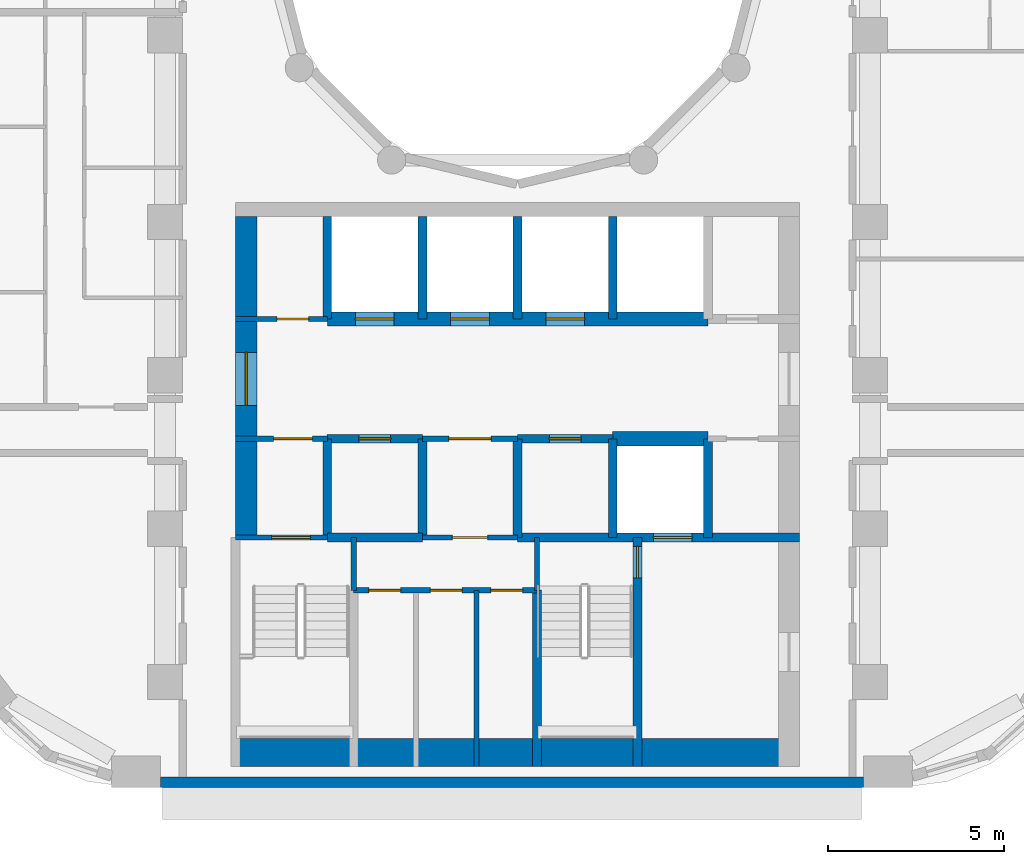
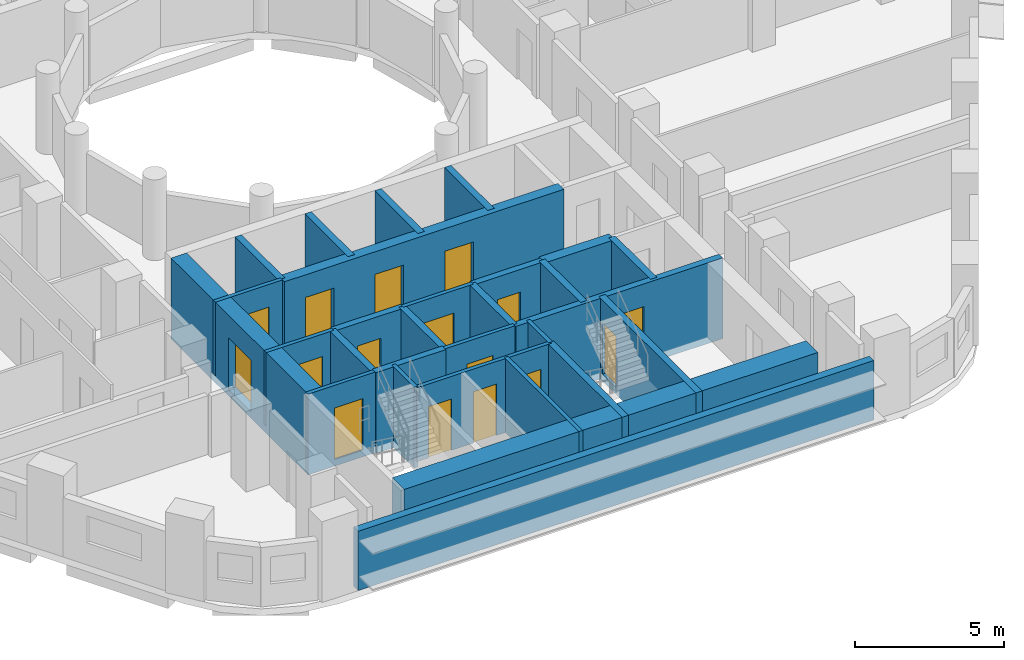
# One storey, part 3 of 12: 29 walls, 16 doors, 16 openings.
"""IFC4 building model written with IfcOpenShell, lengths in metres."""

from ifc_helpers import new_model, si_unit, direction, frame, frame_2d, origin, place, context, subcontext, project, spatial, rectangle, extrude, material, layer, layer_set, type_object, element, fill, save


model = new_model("IFC4")

# Units and contexts
model_context = context("Model", 3, precision=1e-05, world=origin(), true_north=direction((0.0, 1.0)))
body_context = subcontext(model_context, "Body", "Model", "MODEL_VIEW")
ifc_project = project(units=[si_unit("LENGTHUNIT", "METRE"), si_unit("AREAUNIT", "SQUARE_METRE"), si_unit("VOLUMEUNIT", "CUBIC_METRE"), si_unit("PLANEANGLEUNIT", "RADIAN"), si_unit("MASSUNIT", "GRAM", prefix="KILO")], contexts=[model_context])

# Site, building, storey
site_placement = place(None, origin())
site = spatial("IfcSite", under=ifc_project, at=site_placement, CompositionType="ELEMENT")
building_placement = place(site_placement, origin())
building = spatial("IfcBuilding", under=site, at=building_placement, Name="Nakaniwa Court", CompositionType="ELEMENT")
storey_placement = place(building_placement, frame((0.0, 0.0, 100.800048828125)))
storey = spatial("IfcBuildingStorey", under=building, at=storey_placement, Name="L26", CompositionType="ELEMENT", Elevation=100.800048828125)

# Wall
ifc_material_1 = material(Name="Charcoal ceramic cladding")
ifc_layer_1 = layer(ifc_material_1, 0.02, Name="Ceramic cladding")
ifc_material_2 = material(Name="Ventilated air cavity")
ifc_layer_2 = layer(ifc_material_2, 0.04, ventilated=True, Name="Ventilated cavity")
ifc_material_3 = material(Name="Mineral wool insulation")
ifc_layer_3 = layer(ifc_material_3, 0.1, Name="Insulation")
ifc_material_4 = material(Name="Cement bonded sheathing board")
ifc_layer_4 = layer(ifc_material_4, 0.012, Name="Sheathing")
ifc_material_5 = material(Name="Cold-formed galvanised stud frame with mineral wool infill")
ifc_layer_5 = layer(ifc_material_5, 0.1, Name="Stud frame")
ifc_material_6 = material(Name="Fire-rated gypsum plasterboard lining")
ifc_layer_6 = layer(ifc_material_6, 0.028, Name="Lining")
ifc_layer_set_1 = layer_set([ifc_layer_1, ifc_layer_2, ifc_layer_3, ifc_layer_4, ifc_layer_5, ifc_layer_6], Name="Charcoal ceramic faced external wall system")
wall_type_1 = type_object("IfcWallType", Name="Black ceramic faced external wall 300", PredefinedType="SOLIDWALL", material=ifc_layer_set_1)
wall_1_placement = place(storey_placement, frame((69.871337890625, 56.14990234375, 0.0), z_axis=(0.0, 0.0, 1.0), x_axis=(1.0, 0.0, 0.0)))
element("IfcWall", 1, at=wall_1_placement, inside=storey, type_object=wall_type_1, Name="L26 external wall 26", PredefinedType="SOLIDWALL", context=body_context, shape_type="SweptSolid", body=[
    extrude(rectangle(XDim=19.939697265625, YDim=0.300048828125, at=frame_2d((9.9697265625, 0.0))), origin(), (0.0, 0.0, 1.0), 2.425048828125),
])

# Wall, opening, door
ifc_material_7 = material(Name="Blockwork partition", Category="masonry")
ifc_layer_7 = layer(ifc_material_7, 0.14990234375)
ifc_layer_set_2 = layer_set([ifc_layer_7], Name="Blockwork partition")
wall_type_2 = type_object("IfcWallType", Name="Blockwork partition 150", PredefinedType="PARTITIONING", material=ifc_layer_set_2)
wall_2_placement = place(storey_placement, frame((72.0, 69.300048828125, 0.0), z_axis=(0.0, 0.0, 1.0), x_axis=(1.0, 0.0, 0.0)))
wall_2 = element("IfcWall", 2, at=wall_2_placement, inside=storey, type_object=wall_type_2, Name="Partition PW-037", PredefinedType="PARTITIONING", context=body_context, shape_type="SweptSolid", body=[
    extrude(rectangle(XDim=2.60009765625, YDim=0.14990234375, at=frame_2d((1.300048828125, 0.0))), origin(), (0.0, 0.0, 1.0), 3.02490234375),
])
opening_1_placement = place(wall_2_placement, frame((1.175048828125, 0.0, 0.0)))
opening_1 = element("IfcOpeningElement", 3, at=opening_1_placement, cuts=wall_2, Name="Opening D-05-09", PredefinedType="OPENING", context=body_context, shape_type="SweptSolid", body=[
    extrude(rectangle(XDim=0.89990234375, YDim=2.10009765625, at=frame_2d((0.449951171875, 1.050048828125))), frame((0.0, 0.0849609375, 0.0), z_axis=(0.0, -1.0, 0.0), x_axis=(1.0, 0.0, 0.0)), (0.0, 0.0, 1.0), 0.169921875),
])
ifc_material_8 = material(Name="Fire rated steel door set", Category="steel")
door_type_1 = type_object("IfcDoorType", Name="Service room door 900", OperationType="NOTDEFINED", PredefinedType="DOOR", material=ifc_material_8)
door_1_placement = place(opening_1_placement, origin())
door_1 = element("IfcDoor", 4, at=door_1_placement, inside=storey, type_object=door_type_1, Name="Door D-05-09 L26-014", OperationType="SINGLE_SWING_LEFT", OverallHeight=2.10009765625, OverallWidth=0.89990234375, PredefinedType="DOOR", context=body_context, shape_type="SweptSolid", body=[
    extrude(rectangle(XDim=0.89990234375, YDim=2.10009765625, at=frame_2d((0.449951171875, 1.050048828125))), frame((0.0, 0.02490234375, 0.0), z_axis=(0.0, -1.0, 0.0), x_axis=(1.0, 0.0, 0.0)), (0.0, 0.0, 1.0), 0.050048828125),
])
fill(opening_1, door_1)

wall_3_placement = place(storey_placement, frame((74.60302734375, 65.89990234375, 0.0), z_axis=(0.0, 0.0, 1.0), x_axis=(-1.0, 0.0, 0.0)))
wall_3 = element("IfcWall", 5, at=wall_3_placement, inside=storey, type_object=wall_type_2, Name="Partition PW-050", PredefinedType="PARTITIONING", context=body_context, shape_type="SweptSolid", body=[
    extrude(rectangle(XDim=2.60302734375, YDim=0.14990234375, at=frame_2d((1.301513671875, 0.0))), origin(), (0.0, 0.0, 1.0), 3.02490234375),
])
opening_2_placement = place(wall_3_placement, frame((0.427978515625, 0.0, 0.0)))
opening_2 = element("IfcOpeningElement", 6, at=opening_2_placement, cuts=wall_3, Name="Opening D-08-02", PredefinedType="OPENING", context=body_context, shape_type="SweptSolid", body=[
    extrude(rectangle(XDim=1.10009765625, YDim=2.10009765625, at=frame_2d((0.550048828125, 1.050048828125))), frame((0.0, 0.0849609375, 0.0), z_axis=(0.0, -1.0, 0.0), x_axis=(1.0, 0.0, 0.0)), (0.0, 0.0, 1.0), 0.169921875),
])
door_type_2 = type_object("IfcDoorType", Name="Stair lobby door 1100", OperationType="NOTDEFINED", PredefinedType="DOOR", material=ifc_material_8)
door_2_placement = place(opening_2_placement, origin())
door_2 = element("IfcDoor", 7, at=door_2_placement, inside=storey, type_object=door_type_2, Name="Door D-08-02 L26-016", OperationType="SINGLE_SWING_LEFT", OverallHeight=2.10009765625, OverallWidth=1.10009765625, PredefinedType="DOOR", context=body_context, shape_type="SweptSolid", body=[
    extrude(rectangle(XDim=1.10009765625, YDim=2.10009765625, at=frame_2d((0.550048828125, 1.050048828125))), frame((0.0, 0.02490234375, 0.0), z_axis=(0.0, -1.0, 0.0), x_axis=(1.0, 0.0, 0.0)), (0.0, 0.0, 1.0), 0.050048828125),
])
fill(opening_2, door_2)

wall_4_placement = place(storey_placement, frame((80.0029296875, 65.89990234375, 0.0), z_axis=(0.0, 0.0, 1.0), x_axis=(-1.0, 0.0, 0.0)))
wall_4 = element("IfcWall", 8, at=wall_4_placement, inside=storey, type_object=wall_type_2, Name="Partition PW-051", PredefinedType="PARTITIONING", context=body_context, shape_type="SweptSolid", body=[
    extrude(rectangle(XDim=2.705810546875, YDim=0.14990234375, at=frame_2d((1.35302734375, 0.0))), origin(), (0.0, 0.0, 1.0), 3.02490234375),
])
opening_3_placement = place(wall_4_placement, frame((0.7529296875, 0.0, 0.0)))
opening_3 = element("IfcOpeningElement", 9, at=opening_3_placement, cuts=wall_4, Name="Opening D-06-02", PredefinedType="OPENING", context=body_context, shape_type="SweptSolid", body=[
    extrude(rectangle(XDim=1.199951171875, YDim=2.10009765625, at=frame_2d((0.60009765625, 1.050048828125))), frame((0.0, 0.0849609375, 0.0), z_axis=(0.0, -1.0, 0.0), x_axis=(1.0, 0.0, 0.0)), (0.0, 0.0, 1.0), 0.169921875),
])
ifc_material_9 = material(Name="Fire rated steel double door set", Category="steel")
door_type_3 = type_object("IfcDoorType", Name="Service passage double door 1200", OperationType="NOTDEFINED", PredefinedType="DOOR", material=ifc_material_9)
door_3_placement = place(opening_3_placement, origin())
door_3 = element("IfcDoor", 10, at=door_3_placement, inside=storey, type_object=door_type_3, Name="Door D-06-02 L26-018", OperationType="DOUBLE_DOOR_SINGLE_SWING", OverallHeight=2.10009765625, OverallWidth=1.199951171875, PredefinedType="DOOR", context=body_context, shape_type="SweptSolid", body=[
    extrude(rectangle(XDim=1.199951171875, YDim=2.10009765625, at=frame_2d((0.60009765625, 1.050048828125))), frame((0.0, 0.02490234375, 0.0), z_axis=(0.0, -1.0, 0.0), x_axis=(1.0, 0.0, 0.0)), (0.0, 0.0, 1.0), 0.050048828125),
])
fill(opening_3, door_3)

wall_5_placement = place(storey_placement, frame((80.0, 63.10009765625, 0.0), z_axis=(0.0, 0.0, 1.0), x_axis=(-1.0, 0.0, 0.0)))
wall_5 = element("IfcWall", 11, at=wall_5_placement, inside=storey, type_object=wall_type_2, Name="Partition PW-059", PredefinedType="PARTITIONING", context=body_context, shape_type="SweptSolid", body=[
    extrude(rectangle(XDim=2.699951171875, YDim=0.14990234375, at=frame_2d((1.35009765625, 0.0))), origin(), (0.0, 0.0, 1.0), 3.02490234375),
])
opening_4_placement = place(wall_5_placement, frame((0.85009765625, 0.0, 0.0)))
opening_4 = element("IfcOpeningElement", 12, at=opening_4_placement, cuts=wall_5, Name="Opening D-23-02", PredefinedType="OPENING", context=body_context, shape_type="SweptSolid", body=[
    extrude(rectangle(XDim=1.0, YDim=2.10009765625, at=frame_2d((0.5, 1.050048828125))), frame((0.0, 0.0849609375, 0.0), z_axis=(0.0, -1.0, 0.0), x_axis=(1.0, 0.0, 0.0)), (0.0, 0.0, 1.0), 0.169921875),
])
door_type_4 = type_object("IfcDoorType", Name="Service room door 1000", OperationType="NOTDEFINED", PredefinedType="DOOR", material=ifc_material_8)
door_4_placement = place(opening_4_placement, origin())
door_4 = element("IfcDoor", 13, at=door_4_placement, inside=storey, type_object=door_type_4, Name="Door D-23-02 L26-021", OperationType="SINGLE_SWING_RIGHT", OverallHeight=2.10009765625, OverallWidth=1.0, PredefinedType="DOOR", context=body_context, shape_type="SweptSolid", body=[
    extrude(rectangle(XDim=1.0, YDim=2.10009765625, at=frame_2d((0.5, 1.050048828125))), frame((0.0, 0.02490234375, 0.0), z_axis=(0.0, -1.0, 0.0), x_axis=(1.0, 0.0, 0.0)), (0.0, 0.0, 1.0), 0.050048828125),
])
fill(opening_4, door_4)

# Wall, openings, doors
wall_6_placement = place(storey_placement, frame((80.550048828125, 61.60009765625, 0.0), z_axis=(0.0, 0.0, 1.0), x_axis=(-1.0, 0.0, 0.0)))
wall_6 = element("IfcWall", 14, at=wall_6_placement, inside=storey, type_object=wall_type_2, Name="Partition PW-066", PredefinedType="PARTITIONING", context=body_context, shape_type="SweptSolid", body=[
    extrude(rectangle(XDim=5.199951171875, YDim=0.14990234375, at=frame_2d((2.60009765625, 0.0))), origin(), (0.0, 0.0, 1.0), 3.02490234375),
])
opening_5_placement = place(wall_6_placement, frame((3.865966796875, 0.0, 0.0)))
opening_5 = element("IfcOpeningElement", 15, at=opening_5_placement, cuts=wall_6, Name="Opening D-05-14", PredefinedType="OPENING", context=body_context, shape_type="SweptSolid", body=[
    extrude(rectangle(XDim=0.89990234375, YDim=2.10009765625, at=frame_2d((0.449951171875, 1.050048828125))), frame((0.0, 0.0849609375, 0.0), z_axis=(0.0, -1.0, 0.0), x_axis=(1.0, 0.0, 0.0)), (0.0, 0.0, 1.0), 0.169921875),
])
opening_6_placement = place(wall_6_placement, frame((2.1240234375, 0.0, 0.0)))
opening_6 = element("IfcOpeningElement", 16, at=opening_6_placement, cuts=wall_6, Name="Opening D-05-15", PredefinedType="OPENING", context=body_context, shape_type="SweptSolid", body=[
    extrude(rectangle(XDim=0.89990234375, YDim=2.10009765625, at=frame_2d((0.449951171875, 1.050048828125))), frame((0.0, 0.0849609375, 0.0), z_axis=(0.0, -1.0, 0.0), x_axis=(1.0, 0.0, 0.0)), (0.0, 0.0, 1.0), 0.169921875),
])
opening_7_placement = place(wall_6_placement, frame((0.407958984375, 0.0, 0.0)))
opening_7 = element("IfcOpeningElement", 17, at=opening_7_placement, cuts=wall_6, Name="Opening D-05-16", PredefinedType="OPENING", context=body_context, shape_type="SweptSolid", body=[
    extrude(rectangle(XDim=0.89990234375, YDim=2.10009765625, at=frame_2d((0.449951171875, 1.050048828125))), frame((0.0, 0.0849609375, 0.0), z_axis=(0.0, -1.0, 0.0), x_axis=(1.0, 0.0, 0.0)), (0.0, 0.0, 1.0), 0.169921875),
])
door_5_placement = place(opening_5_placement, origin())
door_5 = element("IfcDoor", 18, at=door_5_placement, inside=storey, type_object=door_type_1, Name="Door D-05-14 L26-022", OperationType="SINGLE_SWING_LEFT", OverallHeight=2.10009765625, OverallWidth=0.89990234375, PredefinedType="DOOR", context=body_context, shape_type="SweptSolid", body=[
    extrude(rectangle(XDim=0.89990234375, YDim=2.10009765625, at=frame_2d((0.449951171875, 1.050048828125))), frame((0.0, 0.02490234375, 0.0), z_axis=(0.0, -1.0, 0.0), x_axis=(1.0, 0.0, 0.0)), (0.0, 0.0, 1.0), 0.050048828125),
])
fill(opening_5, door_5)
door_6_placement = place(opening_6_placement, origin())
door_6 = element("IfcDoor", 19, at=door_6_placement, inside=storey, type_object=door_type_1, Name="Door D-05-15 L26-023", OperationType="SINGLE_SWING_RIGHT", OverallHeight=2.10009765625, OverallWidth=0.89990234375, PredefinedType="DOOR", context=body_context, shape_type="SweptSolid", body=[
    extrude(rectangle(XDim=0.89990234375, YDim=2.10009765625, at=frame_2d((0.449951171875, 1.050048828125))), frame((0.0, 0.02490234375, 0.0), z_axis=(0.0, -1.0, 0.0), x_axis=(1.0, 0.0, 0.0)), (0.0, 0.0, 1.0), 0.050048828125),
])
fill(opening_6, door_6)
door_7_placement = place(opening_7_placement, origin())
door_7 = element("IfcDoor", 20, at=door_7_placement, inside=storey, type_object=door_type_1, Name="Door D-05-16 L26-024", OperationType="SINGLE_SWING_LEFT", OverallHeight=2.10009765625, OverallWidth=0.89990234375, PredefinedType="DOOR", context=body_context, shape_type="SweptSolid", body=[
    extrude(rectangle(XDim=0.89990234375, YDim=2.10009765625, at=frame_2d((0.449951171875, 1.050048828125))), frame((0.0, 0.02490234375, 0.0), z_axis=(0.0, -1.0, 0.0), x_axis=(1.0, 0.0, 0.0)), (0.0, 0.0, 1.0), 0.050048828125),
])
fill(opening_7, door_7)

# Wall
wall_7_placement = place(storey_placement, frame((78.833984375, 56.60009765625, 0.0), z_axis=(0.0, 0.0, 1.0), x_axis=(0.0, 1.0, 0.0)))
element("IfcWall", 21, at=wall_7_placement, inside=storey, type_object=wall_type_2, Name="Partition PW-068", PredefinedType="PARTITIONING", context=body_context, shape_type="SweptSolid", body=[
    extrude(rectangle(XDim=5.0, YDim=0.14990234375, at=frame_2d((2.5, 0.0))), origin(), (0.0, 0.0, 1.0), 3.02490234375),
])

# Wall, opening, door
ifc_material_10 = material(Name="Concrete C80/100", Category="concrete")
ifc_layer_8 = layer(ifc_material_10, 0.60009765625)
ifc_layer_set_3 = layer_set([ifc_layer_8], Name="Concrete C80/100")
wall_type_3 = type_object("IfcWallType", Name="Concrete core side wall 600 C80", PredefinedType="SHEAR", material=ifc_layer_set_3)
wall_8_placement = place(storey_placement, frame((72.300048828125, 63.10009765625, -0.275146484375), z_axis=(0.0, 0.0, 1.0), x_axis=(0.0, 1.0, 0.0)))
wall_8 = element("IfcWall", 22, at=wall_8_placement, inside=storey, type_object=wall_type_3, Name="Core wall SW-38", PredefinedType="SHEAR", context=body_context, shape_type="SweptSolid", body=[
    extrude(rectangle(XDim=9.099853515625, YDim=0.60009765625, at=frame_2d((4.5498046875, 0.0))), origin(), (0.0, 0.0, 1.0), 3.300048828125),
])
opening_8_placement = place(wall_8_placement, frame((3.75, 0.0, 0.27490234375)))
opening_8 = element("IfcOpeningElement", 23, at=opening_8_placement, cuts=wall_8, Name="Opening D-07-04", PredefinedType="OPENING", context=body_context, shape_type="SweptSolid", body=[
    extrude(rectangle(XDim=1.5, YDim=2.10009765625, at=frame_2d((0.75, 1.050048828125))), frame((0.0, 0.31005859375, 0.0), z_axis=(0.0, -1.0, 0.0), x_axis=(1.0, 0.0, 0.0)), (0.0, 0.0, 1.0), 0.6201171875),
])
ifc_material_11 = material(Name="Glazed fire rated steel double door set", Category="steel")
door_type_5 = type_object("IfcDoorType", Name="Lobby double door 1500", OperationType="NOTDEFINED", PredefinedType="DOOR", material=ifc_material_11)
door_8_placement = place(opening_8_placement, origin())
door_8 = element("IfcDoor", 24, at=door_8_placement, inside=storey, type_object=door_type_5, Name="Door D-07-04 L26-055", OperationType="DOUBLE_DOOR_SINGLE_SWING", OverallHeight=2.10009765625, OverallWidth=1.5, PredefinedType="DOOR", context=body_context, shape_type="SweptSolid", body=[
    extrude(rectangle(XDim=1.5, YDim=2.10009765625, at=frame_2d((0.75, 1.050048828125))), frame((0.0, 0.02490234375, 0.0), z_axis=(0.0, -1.0, 0.0), x_axis=(1.0, 0.0, 0.0)), (0.0, 0.0, 1.0), 0.050048828125),
])
fill(opening_8, door_8)

# Wall, openings, doors
ifc_layer_9 = layer(ifc_material_10, 0.39990234375)
ifc_layer_set_4 = layer_set([ifc_layer_9], Name="Concrete C80/100")
wall_type_4 = type_object("IfcWallType", Name="Concrete core spine wall 400 C80", PredefinedType="SHEAR", material=ifc_layer_set_4)
wall_9_placement = place(storey_placement, frame((74.60009765625, 69.300048828125, -0.275146484375), z_axis=(0.0, 0.0, 1.0), x_axis=(1.0, 0.0, 0.0)))
wall_9 = element("IfcWall", 25, at=wall_9_placement, inside=storey, type_object=wall_type_4, Name="Core wall SW-41", PredefinedType="SHEAR", context=body_context, shape_type="SweptSolid", body=[
    extrude(rectangle(XDim=10.7998046875, YDim=0.39990234375, at=frame_2d((5.39990234375, 0.0))), origin(), (0.0, 0.0, 1.0), 3.300048828125),
])
opening_9_placement = place(wall_9_placement, frame((0.800048828125, 0.0, 0.27490234375)))
opening_9 = element("IfcOpeningElement", 26, at=opening_9_placement, cuts=wall_9, Name="Opening LD05", PredefinedType="OPENING", context=body_context, shape_type="SweptSolid", body=[
    extrude(rectangle(XDim=1.10009765625, YDim=2.10009765625, at=frame_2d((0.550048828125, 1.050048828125))), frame((0.0, 0.2099609375, 0.0), z_axis=(0.0, -1.0, 0.0), x_axis=(1.0, 0.0, 0.0)), (0.0, 0.0, 1.0), 0.419921875),
])
opening_10_placement = place(wall_9_placement, frame((3.5, 0.0, 0.27490234375)))
opening_10 = element("IfcOpeningElement", 27, at=opening_10_placement, cuts=wall_9, Name="Opening LD06", PredefinedType="OPENING", context=body_context, shape_type="SweptSolid", body=[
    extrude(rectangle(XDim=1.10009765625, YDim=2.10009765625, at=frame_2d((0.550048828125, 1.050048828125))), frame((0.0, 0.2099609375, 0.0), z_axis=(0.0, -1.0, 0.0), x_axis=(1.0, 0.0, 0.0)), (0.0, 0.0, 1.0), 0.419921875),
])
opening_11_placement = place(wall_9_placement, frame((6.199951171875, 0.0, 0.27490234375)))
opening_11 = element("IfcOpeningElement", 28, at=opening_11_placement, cuts=wall_9, Name="Opening LD07", PredefinedType="OPENING", context=body_context, shape_type="SweptSolid", body=[
    extrude(rectangle(XDim=1.10009765625, YDim=2.10009765625, at=frame_2d((0.550048828125, 1.050048828125))), frame((0.0, 0.2099609375, 0.0), z_axis=(0.0, -1.0, 0.0), x_axis=(1.0, 0.0, 0.0)), (0.0, 0.0, 1.0), 0.419921875),
])
ifc_material_12 = material(Name="Stainless steel sliding lift landing door", Category="steel")
door_type_6 = type_object("IfcDoorType", Name="Lift landing door 1100", OperationType="NOTDEFINED", PredefinedType="DOOR", material=ifc_material_12)
door_9_placement = place(opening_9_placement, origin())
door_9 = element("IfcDoor", 29, at=door_9_placement, inside=storey, type_object=door_type_6, Name="Lift landing door LD05 L26-005", OperationType="SLIDING_TO_LEFT", OverallHeight=2.10009765625, OverallWidth=1.10009765625, PredefinedType="DOOR", context=body_context, shape_type="SweptSolid", body=[
    extrude(rectangle(XDim=1.10009765625, YDim=2.10009765625, at=frame_2d((0.550048828125, 1.050048828125))), frame((0.0, 0.02490234375, 0.0), z_axis=(0.0, -1.0, 0.0), x_axis=(1.0, 0.0, 0.0)), (0.0, 0.0, 1.0), 0.050048828125),
])
fill(opening_9, door_9)
door_10_placement = place(opening_10_placement, origin())
door_10 = element("IfcDoor", 30, at=door_10_placement, inside=storey, type_object=door_type_6, Name="Lift landing door LD06 L26-006", OperationType="SLIDING_TO_LEFT", OverallHeight=2.10009765625, OverallWidth=1.10009765625, PredefinedType="DOOR", context=body_context, shape_type="SweptSolid", body=[
    extrude(rectangle(XDim=1.10009765625, YDim=2.10009765625, at=frame_2d((0.550048828125, 1.050048828125))), frame((0.0, 0.02490234375, 0.0), z_axis=(0.0, -1.0, 0.0), x_axis=(1.0, 0.0, 0.0)), (0.0, 0.0, 1.0), 0.050048828125),
])
fill(opening_10, door_10)
door_11_placement = place(opening_11_placement, origin())
door_11 = element("IfcDoor", 31, at=door_11_placement, inside=storey, type_object=door_type_6, Name="Lift landing door LD07 L26-007", OperationType="SLIDING_TO_LEFT", OverallHeight=2.10009765625, OverallWidth=1.10009765625, PredefinedType="DOOR", context=body_context, shape_type="SweptSolid", body=[
    extrude(rectangle(XDim=1.10009765625, YDim=2.10009765625, at=frame_2d((0.550048828125, 1.050048828125))), frame((0.0, 0.02490234375, 0.0), z_axis=(0.0, -1.0, 0.0), x_axis=(1.0, 0.0, 0.0)), (0.0, 0.0, 1.0), 0.050048828125),
])
fill(opening_11, door_11)

# Wall
wall_10_placement = place(storey_placement, frame((82.697021484375, 65.89990234375, -0.275146484375), z_axis=(0.0, 0.0, 1.0), x_axis=(1.0, 0.0, 0.0)))
element("IfcWall", 32, at=wall_10_placement, inside=storey, type_object=wall_type_4, Name="Core wall SW-55", PredefinedType="SHEAR", context=body_context, shape_type="SweptSolid", body=[
    extrude(rectangle(XDim=2.7060546875, YDim=0.39990234375, at=frame_2d((1.35302734375, 0.0))), origin(), (0.0, 0.0, 1.0), 3.300048828125),
])

# Wall, opening, door
ifc_layer_10 = layer(ifc_material_10, 0.14990234375)
ifc_layer_set_5 = layer_set([ifc_layer_10], Name="Concrete C80/100")
wall_type_5 = type_object("IfcWallType", Name="Concrete core wall 150 C80", PredefinedType="SHEAR", material=ifc_layer_set_5)
wall_11_placement = place(storey_placement, frame((72.0, 63.10009765625, -0.275146484375), z_axis=(0.0, 0.0, 1.0), x_axis=(1.0, 0.0, 0.0)))
wall_11 = element("IfcWall", 33, at=wall_11_placement, inside=storey, type_object=wall_type_5, Name="Core wall SW-56", PredefinedType="SHEAR", context=body_context, shape_type="SweptSolid", body=[
    extrude(rectangle(XDim=2.60009765625, YDim=0.14990234375, at=frame_2d((1.300048828125, 0.0))), origin(), (0.0, 0.0, 1.0), 3.300048828125),
])
opening_12_placement = place(wall_11_placement, frame((1.02001953125, 0.0, 0.27490234375)))
opening_12 = element("IfcOpeningElement", 34, at=opening_12_placement, cuts=wall_11, Name="Opening D-09-02", PredefinedType="OPENING", context=body_context, shape_type="SweptSolid", body=[
    extrude(rectangle(XDim=1.10009765625, YDim=2.10009765625, at=frame_2d((0.550048828125, 1.050048828125))), frame((0.0, 0.0849609375, 0.0), z_axis=(0.0, -1.0, 0.0), x_axis=(1.0, 0.0, 0.0)), (0.0, 0.0, 1.0), 0.169921875),
])
door_type_7 = type_object("IfcDoorType", Name="Stair door 1100", OperationType="NOTDEFINED", PredefinedType="DOOR", material=ifc_material_8)
door_12_placement = place(opening_12_placement, origin())
door_12 = element("IfcDoor", 35, at=door_12_placement, inside=storey, type_object=door_type_7, Name="Door D-09-02 L26-025", OperationType="SINGLE_SWING_LEFT", OverallHeight=2.10009765625, OverallWidth=1.10009765625, PredefinedType="DOOR", context=body_context, shape_type="SweptSolid", body=[
    extrude(rectangle(XDim=1.10009765625, YDim=2.10009765625, at=frame_2d((0.550048828125, 1.050048828125))), frame((0.0, 0.02490234375, 0.0), z_axis=(0.0, -1.0, 0.0), x_axis=(1.0, 0.0, 0.0)), (0.0, 0.0, 1.0), 0.050048828125),
])
fill(opening_12, door_12)

# Walls
for number, where, z_axis, x_axis, name in (
    (36, (75.35009765625, 61.596923828125, -0.275146484375), (0.0, 0.0, 1.0), (0.0, 1.0, 0.0), "Core wall SW-60"),
    (37, (80.550048828125, 61.596923828125, -0.275146484375), (0.0, 0.0, 1.0), (0.0, 1.0, 0.0), "Core wall SW-64"),
):
    element("IfcWall", number, at=place(storey_placement, frame(where, z_axis=z_axis, x_axis=x_axis)), inside=storey, type_object=wall_type_5, Name=name, PredefinedType="SHEAR", context=body_context, shape_type="SweptSolid", body=[
        extrude(rectangle(XDim=1.503173828125, YDim=0.14990234375, at=frame_2d((0.75146484375, 0.0))), origin(), (0.0, 0.0, 1.0), 3.300048828125),
    ])
ifc_layer_11 = layer(ifc_material_10, 0.800048828125)
ifc_layer_set_6 = layer_set([ifc_layer_11], Name="Concrete C80/100")
wall_type_6 = type_object("IfcWallType", Name="Concrete core wall 800 C80", PredefinedType="SHEAR", material=ifc_layer_set_6)
wall_12_placement = place(storey_placement, frame((72.00390625, 57.0, -0.275146484375), z_axis=(0.0, 0.0, 1.0), x_axis=(1.0, 0.0, 0.0)))
element("IfcWall", 38, at=wall_12_placement, inside=storey, type_object=wall_type_6, Name="Core wall SW-132", PredefinedType="SHEAR", context=body_context, shape_type="SweptSolid", body=[
    extrude(rectangle(XDim=15.9921875, YDim=0.800048828125, at=frame_2d((7.99609375, 0.0))), origin(), (0.0, 0.0, 1.0), 3.300048828125),
])
ifc_layer_12 = layer(ifc_material_10, 0.25)
ifc_layer_set_7 = layer_set([ifc_layer_12], Name="Concrete C80/100")
wall_type_7 = type_object("IfcWallType", Name="Concrete shaft wall 250 C80", PredefinedType="SHEAR", material=ifc_layer_set_7)
wall_13_placement = place(storey_placement, frame((74.60009765625, 63.10009765625, -0.275146484375), z_axis=(0.0, 0.0, 1.0), x_axis=(0.0, 1.0, 0.0)))
element("IfcWall", 39, at=wall_13_placement, inside=storey, type_object=wall_type_7, Name="Core wall SW-35", PredefinedType="SHEAR", context=body_context, shape_type="SweptSolid", body=[
    extrude(rectangle(XDim=2.7998046875, YDim=0.25, at=frame_2d((1.39990234375, 0.0))), origin(), (0.0, 0.0, 1.0), 3.300048828125),
])
wall_14_placement = place(storey_placement, frame((74.60009765625, 69.300048828125, -0.275146484375), z_axis=(0.0, 0.0, 1.0), x_axis=(0.0, 1.0, 0.0)))
element("IfcWall", 40, at=wall_14_placement, inside=storey, type_object=wall_type_7, Name="Core wall SW-36", PredefinedType="SHEAR", context=body_context, shape_type="SweptSolid", body=[
    extrude(rectangle(XDim=2.89990234375, YDim=0.25, at=frame_2d((1.449951171875, 0.0))), origin(), (0.0, 0.0, 1.0), 3.300048828125),
])
wall_15_placement = place(storey_placement, frame((77.300048828125, 63.10009765625, -0.275146484375), z_axis=(0.0, 0.0, 1.0), x_axis=(0.0, 1.0, 0.0)))
element("IfcWall", 41, at=wall_15_placement, inside=storey, type_object=wall_type_7, Name="Core wall SW-39", PredefinedType="SHEAR", context=body_context, shape_type="SweptSolid", body=[
    extrude(rectangle(XDim=2.7998046875, YDim=0.25, at=frame_2d((1.39990234375, 0.0))), origin(), (0.0, 0.0, 1.0), 3.300048828125),
])
wall_16_placement = place(storey_placement, frame((77.300048828125, 69.300048828125, -0.275146484375), z_axis=(0.0, 0.0, 1.0), x_axis=(0.0, 1.0, 0.0)))
element("IfcWall", 42, at=wall_16_placement, inside=storey, type_object=wall_type_7, Name="Core wall SW-40", PredefinedType="SHEAR", context=body_context, shape_type="SweptSolid", body=[
    extrude(rectangle(XDim=2.89990234375, YDim=0.25, at=frame_2d((1.449951171875, 0.0))), origin(), (0.0, 0.0, 1.0), 3.300048828125),
])
wall_17_placement = place(storey_placement, frame((80.0, 63.10009765625, -0.275146484375), z_axis=(0.0, 0.0, 1.0), x_axis=(0.0, 1.0, 0.0)))
element("IfcWall", 43, at=wall_17_placement, inside=storey, type_object=wall_type_7, Name="Core wall SW-42", PredefinedType="SHEAR", context=body_context, shape_type="SweptSolid", body=[
    extrude(rectangle(XDim=2.7998046875, YDim=0.25, at=frame_2d((1.39990234375, 0.0))), origin(), (0.0, 0.0, 1.0), 3.300048828125),
])
wall_18_placement = place(storey_placement, frame((80.0, 69.300048828125, -0.275146484375), z_axis=(0.0, 0.0, 1.0), x_axis=(0.0, 1.0, 0.0)))
element("IfcWall", 44, at=wall_18_placement, inside=storey, type_object=wall_type_7, Name="Core wall SW-43", PredefinedType="SHEAR", context=body_context, shape_type="SweptSolid", body=[
    extrude(rectangle(XDim=2.89990234375, YDim=0.25, at=frame_2d((1.449951171875, 0.0))), origin(), (0.0, 0.0, 1.0), 3.300048828125),
])
wall_19_placement = place(storey_placement, frame((82.699951171875, 63.10009765625, -0.275146484375), z_axis=(0.0, 0.0, 1.0), x_axis=(0.0, 1.0, 0.0)))
element("IfcWall", 45, at=wall_19_placement, inside=storey, type_object=wall_type_7, Name="Core wall SW-44", PredefinedType="SHEAR", context=body_context, shape_type="SweptSolid", body=[
    extrude(rectangle(XDim=2.7998046875, YDim=0.25, at=frame_2d((1.39990234375, 0.0))), origin(), (0.0, 0.0, 1.0), 3.300048828125),
])
wall_20_placement = place(storey_placement, frame((82.699951171875, 69.300048828125, -0.275146484375), z_axis=(0.0, 0.0, 1.0), x_axis=(0.0, 1.0, 0.0)))
element("IfcWall", 46, at=wall_20_placement, inside=storey, type_object=wall_type_7, Name="Core wall SW-45", PredefinedType="SHEAR", context=body_context, shape_type="SweptSolid", body=[
    extrude(rectangle(XDim=2.89990234375, YDim=0.25, at=frame_2d((1.449951171875, 0.0))), origin(), (0.0, 0.0, 1.0), 3.300048828125),
])
wall_21_placement = place(storey_placement, frame((85.39990234375, 63.10009765625, -0.275146484375), z_axis=(0.0, 0.0, 1.0), x_axis=(0.0, 1.0, 0.0)))
element("IfcWall", 47, at=wall_21_placement, inside=storey, type_object=wall_type_7, Name="Core wall SW-46", PredefinedType="SHEAR", context=body_context, shape_type="SweptSolid", body=[
    extrude(rectangle(XDim=2.7998046875, YDim=0.25, at=frame_2d((1.39990234375, 0.0))), origin(), (0.0, 0.0, 1.0), 3.300048828125),
])

# Wall, opening, door
wall_22_placement = place(storey_placement, frame((77.302978515625, 65.89990234375, -0.275146484375), z_axis=(0.0, 0.0, 1.0), x_axis=(-1.0, 0.0, 0.0)))
wall_22 = element("IfcWall", 48, at=wall_22_placement, inside=storey, type_object=wall_type_7, Name="Core wall SW-53", PredefinedType="SHEAR", context=body_context, shape_type="SweptSolid", body=[
    extrude(rectangle(XDim=2.7060546875, YDim=0.25, at=frame_2d((1.35302734375, 0.0))), origin(), (0.0, 0.0, 1.0), 3.300048828125),
])
opening_13_placement = place(wall_22_placement, frame((0.903076171875, 0.0, 0.27490234375)))
opening_13 = element("IfcOpeningElement", 49, at=opening_13_placement, cuts=wall_22, Name="Opening D-05-11", PredefinedType="OPENING", context=body_context, shape_type="SweptSolid", body=[
    extrude(rectangle(XDim=0.89990234375, YDim=2.10009765625, at=frame_2d((0.449951171875, 1.050048828125))), frame((0.0, 0.135009765625, 0.0), z_axis=(0.0, -1.0, 0.0), x_axis=(1.0, 0.0, 0.0)), (0.0, 0.0, 1.0), 0.27001953125),
])
door_13_placement = place(opening_13_placement, origin())
door_13 = element("IfcDoor", 50, at=door_13_placement, inside=storey, type_object=door_type_1, Name="Door D-05-11 L26-017", OperationType="SINGLE_SWING_RIGHT", OverallHeight=2.10009765625, OverallWidth=0.89990234375, PredefinedType="DOOR", context=body_context, shape_type="SweptSolid", body=[
    extrude(rectangle(XDim=0.89990234375, YDim=2.10009765625, at=frame_2d((0.449951171875, 1.050048828125))), frame((0.0, 0.02490234375, 0.0), z_axis=(0.0, -1.0, 0.0), x_axis=(1.0, 0.0, 0.0)), (0.0, 0.0, 1.0), 0.050048828125),
])
fill(opening_13, door_13)

wall_23_placement = place(storey_placement, frame((82.702880859375, 65.89990234375, -0.275146484375), z_axis=(0.0, 0.0, 1.0), x_axis=(-1.0, 0.0, 0.0)))
wall_23 = element("IfcWall", 51, at=wall_23_placement, inside=storey, type_object=wall_type_7, Name="Core wall SW-54", PredefinedType="SHEAR", context=body_context, shape_type="SweptSolid", body=[
    extrude(rectangle(XDim=2.705810546875, YDim=0.25, at=frame_2d((1.35302734375, 0.0))), origin(), (0.0, 0.0, 1.0), 3.300048828125),
])
opening_14_placement = place(wall_23_placement, frame((0.903076171875, 0.0, 0.27490234375)))
opening_14 = element("IfcOpeningElement", 52, at=opening_14_placement, cuts=wall_23, Name="Opening D-05-12", PredefinedType="OPENING", context=body_context, shape_type="SweptSolid", body=[
    extrude(rectangle(XDim=0.89990234375, YDim=2.10009765625, at=frame_2d((0.449951171875, 1.050048828125))), frame((0.0, 0.135009765625, 0.0), z_axis=(0.0, -1.0, 0.0), x_axis=(1.0, 0.0, 0.0)), (0.0, 0.0, 1.0), 0.27001953125),
])
door_14_placement = place(opening_14_placement, origin())
door_14 = element("IfcDoor", 53, at=door_14_placement, inside=storey, type_object=door_type_1, Name="Door D-05-12 L26-019", OperationType="SINGLE_SWING_RIGHT", OverallHeight=2.10009765625, OverallWidth=0.89990234375, PredefinedType="DOOR", context=body_context, shape_type="SweptSolid", body=[
    extrude(rectangle(XDim=0.89990234375, YDim=2.10009765625, at=frame_2d((0.449951171875, 1.050048828125))), frame((0.0, 0.02490234375, 0.0), z_axis=(0.0, -1.0, 0.0), x_axis=(1.0, 0.0, 0.0)), (0.0, 0.0, 1.0), 0.050048828125),
])
fill(opening_14, door_14)

# Wall
wall_24_placement = place(storey_placement, frame((74.60009765625, 63.10009765625, -0.275146484375), z_axis=(0.0, 0.0, 1.0), x_axis=(1.0, 0.0, 0.0)))
element("IfcWall", 54, at=wall_24_placement, inside=storey, type_object=wall_type_7, Name="Core wall SW-57", PredefinedType="SHEAR", context=body_context, shape_type="SweptSolid", body=[
    extrude(rectangle(XDim=2.699951171875, YDim=0.25, at=frame_2d((1.35009765625, 0.0))), origin(), (0.0, 0.0, 1.0), 3.300048828125),
])

# Wall, opening, door
wall_25_placement = place(storey_placement, frame((80.0, 63.10009765625, -0.275146484375), z_axis=(0.0, 0.0, 1.0), x_axis=(1.0, 0.0, 0.0)))
wall_25 = element("IfcWall", 55, at=wall_25_placement, inside=storey, type_object=wall_type_7, Name="Core wall SW-58", PredefinedType="SHEAR", context=body_context, shape_type="SweptSolid", body=[
    extrude(rectangle(XDim=8.0, YDim=0.25, at=frame_2d((4.0, 0.0))), origin(), (0.0, 0.0, 1.0), 3.300048828125),
])
opening_15_placement = place(wall_25_placement, frame((3.84912109375, 0.0, 0.27490234375)))
opening_15 = element("IfcOpeningElement", 56, at=opening_15_placement, cuts=wall_25, Name="Opening LD08", PredefinedType="OPENING", context=body_context, shape_type="SweptSolid", body=[
    extrude(rectangle(XDim=1.10009765625, YDim=2.10009765625, at=frame_2d((0.550048828125, 1.050048828125))), frame((0.0, 0.135009765625, 0.0), z_axis=(0.0, -1.0, 0.0), x_axis=(1.0, 0.0, 0.0)), (0.0, 0.0, 1.0), 0.27001953125),
])
door_15_placement = place(opening_15_placement, origin())
door_15 = element("IfcDoor", 57, at=door_15_placement, inside=storey, type_object=door_type_6, Name="Lift landing door LD08 L26-008", OperationType="SLIDING_TO_LEFT", OverallHeight=2.10009765625, OverallWidth=1.10009765625, PredefinedType="DOOR", context=body_context, shape_type="SweptSolid", body=[
    extrude(rectangle(XDim=1.10009765625, YDim=2.10009765625, at=frame_2d((0.550048828125, 1.050048828125))), frame((0.0, 0.02490234375, 0.0), z_axis=(0.0, -1.0, 0.0), x_axis=(1.0, 0.0, 0.0)), (0.0, 0.0, 1.0), 0.050048828125),
])
fill(opening_15, door_15)

wall_26_placement = place(storey_placement, frame((83.39990234375, 63.10009765625, -0.275146484375), z_axis=(0.0, 0.0, 1.0), x_axis=(0.0, -1.0, 0.0)))
wall_26 = element("IfcWall", 58, at=wall_26_placement, inside=storey, type_object=wall_type_7, Name="Core wall SW-63", PredefinedType="SHEAR", context=body_context, shape_type="SweptSolid", body=[
    extrude(rectangle(XDim=6.5, YDim=0.25, at=frame_2d((3.25, 0.0))), origin(), (0.0, 0.0, 1.0), 3.300048828125),
])
opening_16_placement = place(wall_26_placement, frame((0.25, 0.0, 0.27490234375)))
opening_16 = element("IfcOpeningElement", 59, at=opening_16_placement, cuts=wall_26, Name="Opening D-11-02", PredefinedType="OPENING", context=body_context, shape_type="SweptSolid", body=[
    extrude(rectangle(XDim=0.89990234375, YDim=2.10009765625, at=frame_2d((0.449951171875, 1.050048828125))), frame((0.0, 0.135009765625, 0.0), z_axis=(0.0, -1.0, 0.0), x_axis=(1.0, 0.0, 0.0)), (0.0, 0.0, 1.0), 0.27001953125),
])
door_type_8 = type_object("IfcDoorType", Name="Stair door 900", OperationType="NOTDEFINED", PredefinedType="DOOR", material=ifc_material_8)
door_16_placement = place(opening_16_placement, origin())
door_16 = element("IfcDoor", 60, at=door_16_placement, inside=storey, type_object=door_type_8, Name="Door D-11-02 L26-026", OperationType="SINGLE_SWING_RIGHT", OverallHeight=2.10009765625, OverallWidth=0.89990234375, PredefinedType="DOOR", context=body_context, shape_type="SweptSolid", body=[
    extrude(rectangle(XDim=0.89990234375, YDim=2.10009765625, at=frame_2d((0.449951171875, 1.050048828125))), frame((0.0, 0.02490234375, 0.0), z_axis=(0.0, -1.0, 0.0), x_axis=(1.0, 0.0, 0.0)), (0.0, 0.0, 1.0), 0.050048828125),
])
fill(opening_16, door_16)

# Wall
wall_27_placement = place(storey_placement, frame((80.550048828125, 56.60009765625, -0.275146484375), z_axis=(0.0, 0.0, 1.0), x_axis=(0.0, 1.0, 0.0)))
element("IfcWall", 61, at=wall_27_placement, inside=storey, type_object=wall_type_7, Name="Core wall SW-65", PredefinedType="SHEAR", context=body_context, shape_type="SweptSolid", body=[
    extrude(rectangle(XDim=5.0029296875, YDim=0.25, at=frame_2d((2.50146484375, 0.0))), origin(), (0.0, 0.0, 1.0), 3.300048828125),
])

save(model, "model.ifc")
